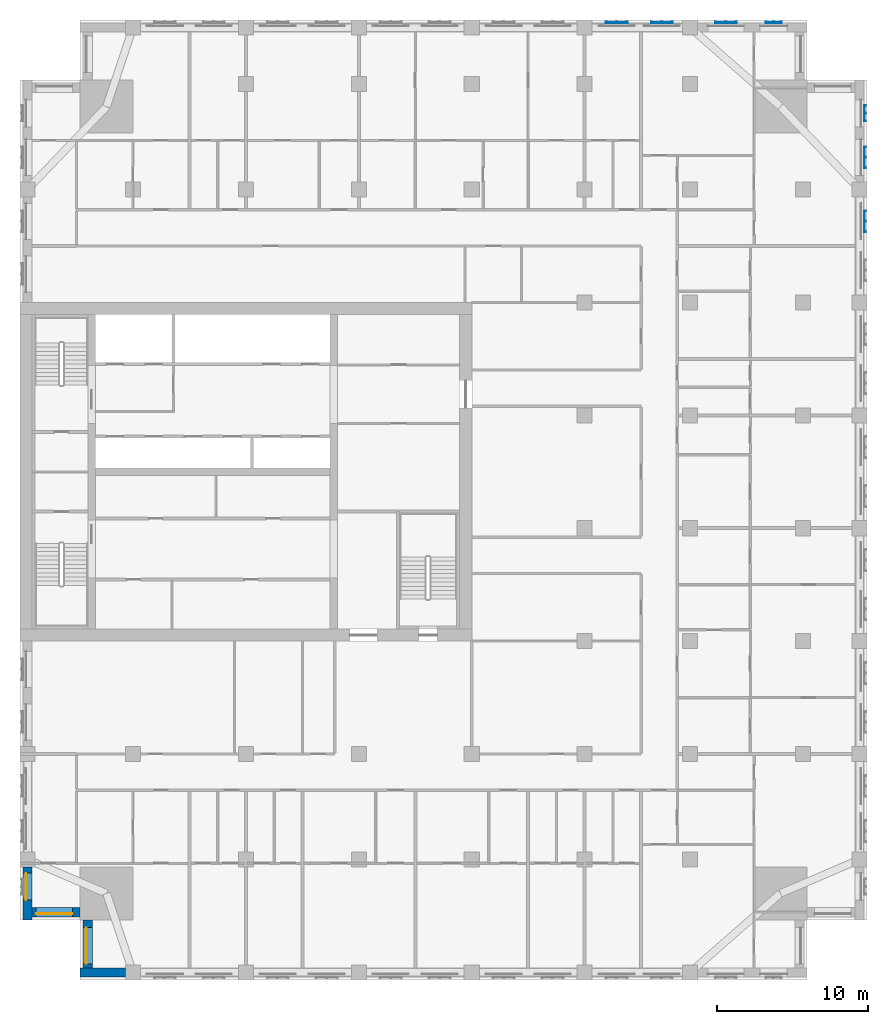
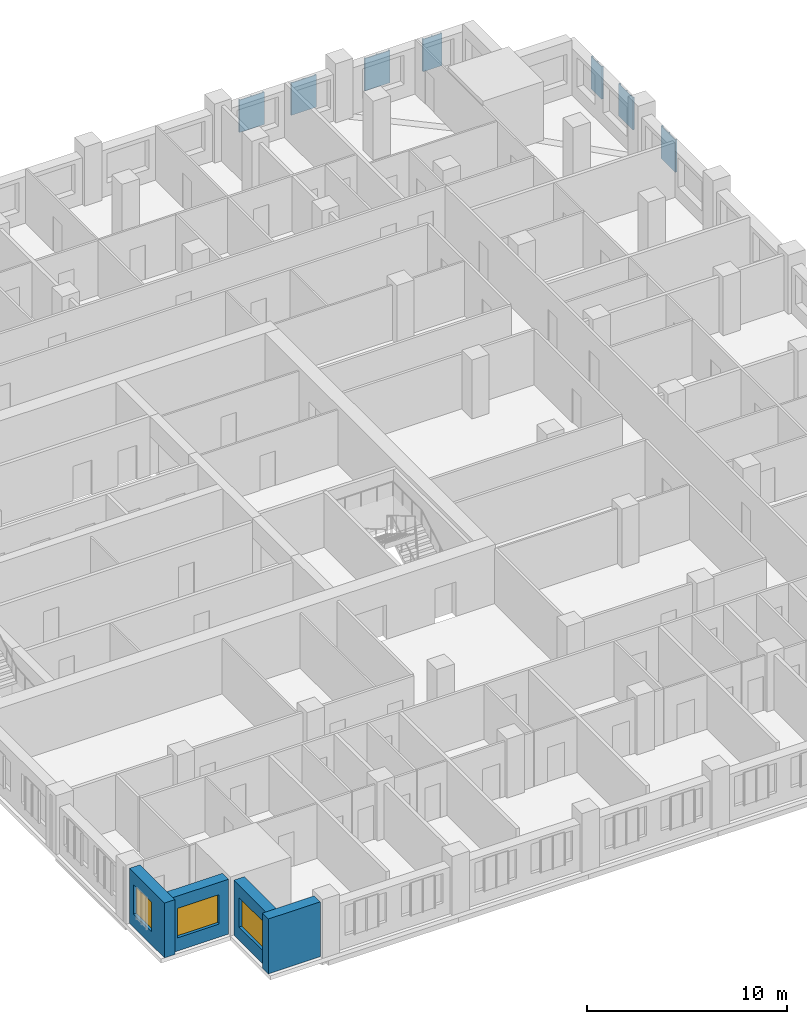
# One storey, part 3 of 14: 7 plates, 4 walls, 3 windows, 3 openings.
"""IFC4 building model written with IfcOpenShell, lengths in metres."""

from ifc_helpers import new_model, si_unit, direction, frame, frame_2d, origin, place, context, subcontext, project, spatial, polyline, rectangle, outline, extrude, material, layer, layer_set, type_object, element, fill, save


model = new_model("IFC4")

# Units and contexts
model_context = context("Model", 3, precision=1e-05, world=origin(), true_north=direction((0.0, 1.0)))
body_context = subcontext(model_context, "Body", "Model", "MODEL_VIEW")
ifc_project = project(units=[si_unit("LENGTHUNIT", "METRE"), si_unit("AREAUNIT", "SQUARE_METRE"), si_unit("VOLUMEUNIT", "CUBIC_METRE"), si_unit("PLANEANGLEUNIT", "RADIAN"), si_unit("MASSUNIT", "GRAM", prefix="KILO")], contexts=[model_context])

# Site, building, storey
site_placement = place(None, origin())
site = spatial("IfcSite", under=ifc_project, at=site_placement, CompositionType="ELEMENT")
building_placement = place(site_placement, origin())
building = spatial("IfcBuilding", under=site, at=building_placement, Name="Tamorin Gate", CompositionType="ELEMENT")
storey_placement = place(building_placement, frame((0.0, 0.0, 155.39990234375)))
storey = spatial("IfcBuildingStorey", under=building, at=storey_placement, Name="L38", CompositionType="ELEMENT", Elevation=155.39990234375)

# Plates
ifc_material_1 = material(Name="Perforated pale aluminium sheet", Category="aluminium")
ifc_layer_1 = layer(ifc_material_1, 0.0400390625)
ifc_layer_set_1 = layer_set([ifc_layer_1], Name="Pale metal solar screen 1080")
plate_type_1 = type_object("IfcPlateType", Name="Pale metal solar screen 1080", PredefinedType="SHEET", material=ifc_layer_set_1)
plate_1_placement = place(storey_placement, frame((0.0, 0.0, 0.710205078125)))
element("IfcPlate", 1, at=plate_1_placement, inside=storey, type_object=plate_type_1, Name="Perforated solar screen", PredefinedType="SHEET", context=body_context, shape_type="SweptSolid", body=[
    extrude(outline(polyline([(86.090087890625, 94.510009765625), (86.050048828125, 94.510009765625), (86.050048828125, 94.570068359375), (86.050048828125, 95.02001953125), (86.050048828125, 95.080078125), (86.050048828125, 95.530029296875), (86.050048828125, 95.590087890625), (86.090087890625, 95.590087890625), (86.14990234375, 95.590087890625), (86.14990234375, 95.530029296875), (86.090087890625, 95.530029296875), (86.090087890625, 95.080078125), (86.14990234375, 95.080078125), (86.14990234375, 95.02001953125), (86.090087890625, 95.02001953125), (86.090087890625, 94.570068359375), (86.14990234375, 94.570068359375), (86.14990234375, 94.510009765625), (86.090087890625, 94.510009765625)])), origin(), (0.0, 0.0, 1.0), 1.97998046875),
])
plate_2_placement = place(storey_placement, frame((0.0, 0.0, 0.710205078125)))
element("IfcPlate", 2, at=plate_2_placement, inside=storey, type_object=plate_type_1, Name="Perforated solar screen", PredefinedType="SHEET", context=body_context, shape_type="SweptSolid", body=[
    extrude(outline(polyline([(80.590087890625, 101.090087890625), (80.590087890625, 101.050048828125), (80.530029296875, 101.050048828125), (80.080078125, 101.050048828125), (80.02001953125, 101.050048828125), (79.570068359375, 101.050048828125), (79.510009765625, 101.050048828125), (79.510009765625, 101.090087890625), (79.510009765625, 101.14990234375), (79.570068359375, 101.14990234375), (79.570068359375, 101.090087890625), (80.02001953125, 101.090087890625), (80.02001953125, 101.14990234375), (80.080078125, 101.14990234375), (80.080078125, 101.090087890625), (80.530029296875, 101.090087890625), (80.530029296875, 101.14990234375), (80.590087890625, 101.14990234375), (80.590087890625, 101.090087890625)])), origin(), (0.0, 0.0, 1.0), 1.97998046875),
])
ifc_layer_2 = layer(ifc_material_1, 0.0400390625)
ifc_layer_set_2 = layer_set([ifc_layer_2], Name="Pale metal solar screen 1440")
plate_type_2 = type_object("IfcPlateType", Name="Pale metal solar screen 1440", PredefinedType="SHEET", material=ifc_layer_set_2)
plate_3_placement = place(storey_placement, frame((0.0, 0.0, 0.710205078125)))
element("IfcPlate", 3, at=plate_3_placement, inside=storey, type_object=plate_type_2, Name="Perforated solar screen", PredefinedType="SHEET", context=body_context, shape_type="SweptSolid", body=[
    extrude(outline(polyline([(86.090087890625, 87.155029296875), (86.050048828125, 87.155029296875), (86.050048828125, 87.215087890625), (86.050048828125, 87.844970703125), (86.050048828125, 87.905029296875), (86.050048828125, 88.534912109375), (86.050048828125, 88.594970703125), (86.090087890625, 88.594970703125), (86.14990234375, 88.594970703125), (86.14990234375, 88.534912109375), (86.090087890625, 88.534912109375), (86.090087890625, 87.905029296875), (86.14990234375, 87.905029296875), (86.14990234375, 87.844970703125), (86.090087890625, 87.844970703125), (86.090087890625, 87.215087890625), (86.14990234375, 87.215087890625), (86.14990234375, 87.155029296875), (86.090087890625, 87.155029296875)])), origin(), (0.0, 0.0, 1.0), 1.97998046875),
])
plate_4_placement = place(storey_placement, frame((0.0, 0.0, 0.710205078125)))
element("IfcPlate", 4, at=plate_4_placement, inside=storey, type_object=plate_type_2, Name="Perforated solar screen", PredefinedType="SHEET", context=body_context, shape_type="SweptSolid", body=[
    extrude(outline(polyline([(86.090087890625, 91.405029296875), (86.050048828125, 91.405029296875), (86.050048828125, 91.465087890625), (86.050048828125, 92.094970703125), (86.050048828125, 92.155029296875), (86.050048828125, 92.784912109375), (86.050048828125, 92.844970703125), (86.090087890625, 92.844970703125), (86.14990234375, 92.844970703125), (86.14990234375, 92.784912109375), (86.090087890625, 92.784912109375), (86.090087890625, 92.155029296875), (86.14990234375, 92.155029296875), (86.14990234375, 92.094970703125), (86.090087890625, 92.094970703125), (86.090087890625, 91.465087890625), (86.14990234375, 91.465087890625), (86.14990234375, 91.405029296875), (86.090087890625, 91.405029296875)])), origin(), (0.0, 0.0, 1.0), 1.97998046875),
])
plate_5_placement = place(storey_placement, frame((0.0, 0.0, 0.710205078125)))
element("IfcPlate", 5, at=plate_5_placement, inside=storey, type_object=plate_type_2, Name="Perforated solar screen", PredefinedType="SHEET", context=body_context, shape_type="SweptSolid", body=[
    extrude(outline(polyline([(77.594970703125, 101.090087890625), (77.594970703125, 101.050048828125), (77.534912109375, 101.050048828125), (76.905029296875, 101.050048828125), (76.844970703125, 101.050048828125), (76.215087890625, 101.050048828125), (76.155029296875, 101.050048828125), (76.155029296875, 101.050048828125), (76.155029296875, 101.090087890625), (76.155029296875, 101.090087890625), (76.155029296875, 101.14990234375), (76.215087890625, 101.14990234375), (76.215087890625, 101.090087890625), (76.844970703125, 101.090087890625), (76.844970703125, 101.14990234375), (76.905029296875, 101.14990234375), (76.905029296875, 101.090087890625), (77.534912109375, 101.090087890625), (77.534912109375, 101.14990234375), (77.594970703125, 101.14990234375), (77.594970703125, 101.090087890625)])), origin(), (0.0, 0.0, 1.0), 1.97998046875),
])
plate_6_placement = place(storey_placement, frame((0.0, 0.0, 0.710205078125)))
element("IfcPlate", 6, at=plate_6_placement, inside=storey, type_object=plate_type_2, Name="Perforated solar screen", PredefinedType="SHEET", context=body_context, shape_type="SweptSolid", body=[
    extrude(outline(polyline([(70.344970703125, 101.090087890625), (70.344970703125, 101.050048828125), (70.284912109375, 101.050048828125), (69.655029296875, 101.050048828125), (69.594970703125, 101.050048828125), (68.965087890625, 101.050048828125), (68.905029296875, 101.050048828125), (68.905029296875, 101.090087890625), (68.905029296875, 101.14990234375), (68.965087890625, 101.14990234375), (68.965087890625, 101.090087890625), (69.594970703125, 101.090087890625), (69.594970703125, 101.14990234375), (69.655029296875, 101.14990234375), (69.655029296875, 101.090087890625), (70.284912109375, 101.090087890625), (70.284912109375, 101.14990234375), (70.344970703125, 101.14990234375), (70.344970703125, 101.090087890625)])), origin(), (0.0, 0.0, 1.0), 1.97998046875),
])
plate_7_placement = place(storey_placement, frame((0.0, 0.0, 0.710205078125)))
element("IfcPlate", 7, at=plate_7_placement, inside=storey, type_object=plate_type_2, Name="Perforated solar screen", PredefinedType="SHEET", context=body_context, shape_type="SweptSolid", body=[
    extrude(outline(polyline([(73.344970703125, 101.090087890625), (73.344970703125, 101.050048828125), (73.284912109375, 101.050048828125), (72.655029296875, 101.050048828125), (72.594970703125, 101.050048828125), (71.965087890625, 101.050048828125), (71.905029296875, 101.050048828125), (71.905029296875, 101.090087890625), (71.905029296875, 101.14990234375), (71.965087890625, 101.14990234375), (71.965087890625, 101.090087890625), (72.594970703125, 101.090087890625), (72.594970703125, 101.14990234375), (72.655029296875, 101.14990234375), (72.655029296875, 101.090087890625), (73.284912109375, 101.090087890625), (73.284912109375, 101.14990234375), (73.344970703125, 101.14990234375), (73.344970703125, 101.090087890625)])), origin(), (0.0, 0.0, 1.0), 1.97998046875),
])

# Wall
ifc_material_2 = material(Name="Precast concrete C40/50", Category="concrete")
ifc_layer_3 = layer(ifc_material_2, 0.60009765625)
ifc_layer_set_3 = layer_set([ifc_layer_3], Name="Precast concrete C40/50")
wall_type = type_object("IfcWallType", Name="Board-marked concrete facade panel 600", PredefinedType="SOLIDWALL", material=ifc_layer_set_3)
wall_1_placement = place(storey_placement, frame((34.0, 38.0, 0.0), z_axis=(0.0, 0.0, 1.0), x_axis=(1.0, 0.0, 0.0)))
element("IfcWall", 8, at=wall_1_placement, inside=storey, type_object=wall_type, Name="Facade panel", PredefinedType="SOLIDWALL", context=body_context, shape_type="SweptSolid", body=[
    extrude(rectangle(XDim=3.0, YDim=0.60009765625, at=frame_2d((1.5, 0.0))), origin(), (0.0, 0.0, 1.0), 3.35009765625),
])

# Wall, opening, window
wall_2_placement = place(storey_placement, frame((30.5, 45.0, 0.0), z_axis=(0.0, 0.0, 1.0), x_axis=(0.0, -1.0, 0.0)))
wall_2 = element("IfcWall", 9, at=wall_2_placement, inside=storey, type_object=wall_type, Name="Facade panel", PredefinedType="SOLIDWALL", context=body_context, shape_type="SweptSolid", body=[
    extrude(rectangle(XDim=3.5, YDim=0.60009765625, at=frame_2d((1.75, 0.0))), origin(), (0.0, 0.0, 1.0), 3.35009765625),
])
opening_1_placement = place(wall_2_placement, frame((0.39990234375, 0.0, 0.800048828125)))
opening_1 = element("IfcOpeningElement", 10, at=opening_1_placement, cuts=wall_2, Name="Opening WN2", PredefinedType="OPENING", context=body_context, shape_type="SweptSolid", body=[
    extrude(rectangle(XDim=1.800048828125, YDim=1.800048828125, at=frame_2d((0.89990234375, 0.89990234375))), frame((0.0, 0.31005859375, 0.0), z_axis=(0.0, -1.0, 0.0), x_axis=(1.0, 0.0, 0.0)), (0.0, 0.0, 1.0), 0.6201171875),
])
ifc_material_3 = material(Name="Clear glass in aluminium frame", Category="aluminium")
window_type_1 = type_object("IfcWindowType", Name="Deep-set window 1800x1800", PartitioningType="SINGLE_PANEL", PredefinedType="WINDOW", material=ifc_material_3)
window_1_placement = place(opening_1_placement, origin())
window_1 = element("IfcWindow", 11, at=window_1_placement, inside=storey, type_object=window_type_1, Name="Deep-set window", OverallHeight=1.800048828125, OverallWidth=1.800048828125, PartitioningType="SINGLE_PANEL", PredefinedType="WINDOW", context=body_context, shape_type="SweptSolid", body=[
    extrude(rectangle(XDim=1.800048828125, YDim=1.800048828125, at=frame_2d((0.89990234375, 0.89990234375))), frame((0.0, -0.070068359375, 0.0), z_axis=(0.0, -1.0, 0.0), x_axis=(1.0, 0.0, 0.0)), (0.0, 0.0, 1.0), 0.06005859375),
])
fill(opening_1, window_1)

wall_3_placement = place(storey_placement, frame((30.800048828125, 42.0, 0.0), z_axis=(0.0, 0.0, 1.0), x_axis=(1.0, 0.0, 0.0)))
wall_3 = element("IfcWall", 12, at=wall_3_placement, inside=storey, type_object=wall_type, Name="Facade panel", PredefinedType="SOLIDWALL", context=body_context, shape_type="SweptSolid", body=[
    extrude(rectangle(XDim=3.199951171875, YDim=0.60009765625, at=frame_2d((1.60009765625, 0.0))), origin(), (0.0, 0.0, 1.0), 3.35009765625),
])
opening_2_placement = place(wall_3_placement, frame((0.27490234375, 0.0, 0.800048828125)))
opening_2 = element("IfcOpeningElement", 13, at=opening_2_placement, cuts=wall_3, Name="Opening WN1", PredefinedType="OPENING", context=body_context, shape_type="SweptSolid", body=[
    extrude(rectangle(XDim=2.39990234375, YDim=1.800048828125, at=frame_2d((1.199951171875, 0.89990234375))), frame((0.0, 0.31005859375, 0.0), z_axis=(0.0, -1.0, 0.0), x_axis=(1.0, 0.0, 0.0)), (0.0, 0.0, 1.0), 0.6201171875),
])
window_type_2 = type_object("IfcWindowType", Name="Deep-set window 2400x1800", PartitioningType="SINGLE_PANEL", PredefinedType="WINDOW", material=ifc_material_3)
window_2_placement = place(opening_2_placement, origin())
window_2 = element("IfcWindow", 14, at=window_2_placement, inside=storey, type_object=window_type_2, Name="Deep-set window", OverallHeight=1.800048828125, OverallWidth=2.39990234375, PartitioningType="SINGLE_PANEL", PredefinedType="WINDOW", context=body_context, shape_type="SweptSolid", body=[
    extrude(rectangle(XDim=2.39990234375, YDim=1.800048828125, at=frame_2d((1.199951171875, 0.89990234375))), frame((0.0, -0.070068359375, 0.0), z_axis=(0.0, -1.0, 0.0), x_axis=(1.0, 0.0, 0.0)), (0.0, 0.0, 1.0), 0.06005859375),
])
fill(opening_2, window_2)

wall_4_placement = place(storey_placement, frame((34.5, 41.5, 0.0), z_axis=(0.0, 0.0, 1.0), x_axis=(0.0, -1.0, 0.0)))
wall_4 = element("IfcWall", 15, at=wall_4_placement, inside=storey, type_object=wall_type, Name="Facade panel", PredefinedType="SOLIDWALL", context=body_context, shape_type="SweptSolid", body=[
    extrude(rectangle(XDim=3.199951171875, YDim=0.60009765625, at=frame_2d((1.60009765625, 0.0))), origin(), (0.0, 0.0, 1.0), 3.35009765625),
])
opening_3_placement = place(wall_4_placement, frame((0.52490234375, 0.0, 0.800048828125)))
opening_3 = element("IfcOpeningElement", 16, at=opening_3_placement, cuts=wall_4, Name="Opening WN1", PredefinedType="OPENING", context=body_context, shape_type="SweptSolid", body=[
    extrude(rectangle(XDim=2.39990234375, YDim=1.800048828125, at=frame_2d((1.199951171875, 0.89990234375))), frame((0.0, 0.31005859375, 0.0), z_axis=(0.0, -1.0, 0.0), x_axis=(1.0, 0.0, 0.0)), (0.0, 0.0, 1.0), 0.6201171875),
])
window_3_placement = place(opening_3_placement, origin())
window_3 = element("IfcWindow", 17, at=window_3_placement, inside=storey, type_object=window_type_2, Name="Deep-set window", OverallHeight=1.800048828125, OverallWidth=2.39990234375, PartitioningType="SINGLE_PANEL", PredefinedType="WINDOW", context=body_context, shape_type="SweptSolid", body=[
    extrude(rectangle(XDim=2.39990234375, YDim=1.800048828125, at=frame_2d((1.199951171875, 0.89990234375))), frame((0.0, -0.070068359375, 0.0), z_axis=(0.0, -1.0, 0.0), x_axis=(1.0, 0.0, 0.0)), (0.0, 0.0, 1.0), 0.06005859375),
])
fill(opening_3, window_3)

save(model, "model.ifc")
